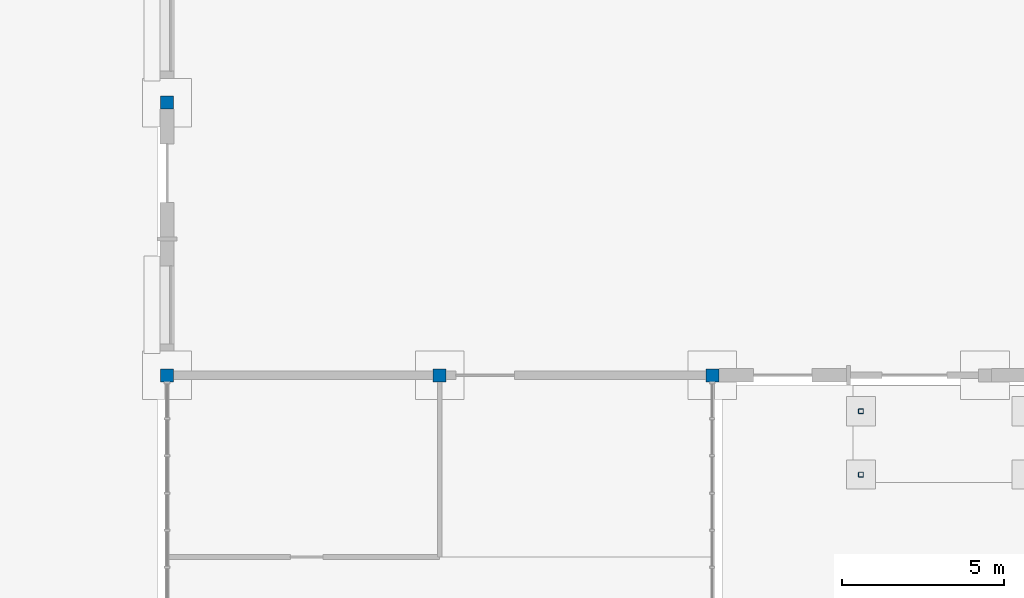
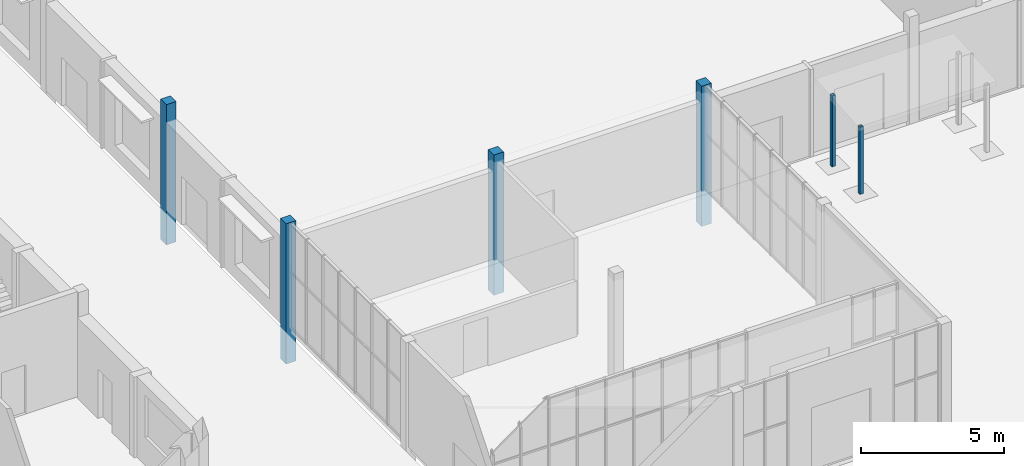
# One storey, part 7 of 36: 6 columns.
"""IFC4 building model written with IfcOpenShell, lengths in metres."""

from ifc_helpers import new_model, si_unit, direction, frame, origin, origin_2d, place, context, subcontext, project, spatial, rectangle, hollow_rectangle, extrude, material, material_profile, profile_set, type_object, element, save


model = new_model("IFC4")

# Units and contexts
model_context = context("Model", 3, precision=1e-05, world=origin(), true_north=direction((0.0, 1.0)))
body_context = subcontext(model_context, "Body", "Model", "MODEL_VIEW")
ifc_project = project(units=[si_unit("LENGTHUNIT", "METRE"), si_unit("AREAUNIT", "SQUARE_METRE"), si_unit("VOLUMEUNIT", "CUBIC_METRE"), si_unit("PLANEANGLEUNIT", "RADIAN"), si_unit("MASSUNIT", "GRAM", prefix="KILO")], contexts=[model_context])

# Site, building, storey
site_placement = place(None, origin())
site = spatial("IfcSite", under=ifc_project, at=site_placement, CompositionType="ELEMENT")
building_placement = place(site_placement, origin())
building = spatial("IfcBuilding", under=site, at=building_placement, Name="Fescue Hill Polytechnic", CompositionType="ELEMENT")
storey_placement = place(building_placement, origin())
storey = spatial("IfcBuildingStorey", under=building, at=storey_placement, Name="L00", CompositionType="ELEMENT", Elevation=0.0)

# Columns
ifc_material_1 = material(Name="Steel 350W (350 MPa)", Category="steel")
ifc_material_profile_1 = material_profile(ifc_material_1, hollow_rectangle(XDim=0.15234375, YDim=0.15234375, WallThickness=0.009521484375, InnerFilletRadius=0.009521484375, OuterFilletRadius=0.01904296875, at=origin_2d()), Name="Canopy post HSS 152x152x9.5")
ifc_profile_set_1 = profile_set([ifc_material_profile_1], Name="Steel 350W (350 MPa)")
column_type_1 = type_object("IfcColumnType", Name="Canopy post HSS 152x152x9.5", PredefinedType="COLUMN", material=ifc_profile_set_1)
column_1_placement = place(storey_placement, frame((147.3798828125, 7.2900390625, 0.0), z_axis=(0.0, 0.0, 1.0), x_axis=(1.0, 0.0, 0.0)))
element("IfcColumn", 1, at=column_1_placement, inside=storey, type_object=column_type_1, Name="Canopy post V3", PredefinedType="COLUMN", context=body_context, shape_type="SweptSolid", body=[
    extrude(hollow_rectangle(XDim=0.15234375, YDim=0.15234375, WallThickness=0.009521484375, InnerFilletRadius=0.009521484375, OuterFilletRadius=0.01904296875, at=origin_2d()), origin(), (0.0, 0.0, 1.0), 3.033447265625),
])
column_2_placement = place(storey_placement, frame((147.3798828125, 5.340087890625, 0.0), z_axis=(0.0, 0.0, 1.0), x_axis=(1.0, 0.0, 0.0)))
element("IfcColumn", 2, at=column_2_placement, inside=storey, type_object=column_type_1, Name="Canopy post V3", PredefinedType="COLUMN", context=body_context, shape_type="SweptSolid", body=[
    extrude(hollow_rectangle(XDim=0.15234375, YDim=0.15234375, WallThickness=0.009521484375, InnerFilletRadius=0.009521484375, OuterFilletRadius=0.01904296875, at=origin_2d()), origin(), (0.0, 0.0, 1.0), 2.870849609375),
])
ifc_material_2 = material(Name="Concrete 40 MPa", Category="concrete")
ifc_material_profile_2 = material_profile(ifc_material_2, rectangle(XDim=0.39990234375, YDim=0.39990234375, at=origin_2d()), Name="RC 400x400")
ifc_profile_set_2 = profile_set([ifc_material_profile_2], Name="Concrete 40 MPa")
column_type_2 = type_object("IfcColumnType", Name="Column RC 400x400", PredefinedType="COLUMN", material=ifc_profile_set_2)
for number, where, z_axis, x_axis, name in (
    (3, (126.0, 8.39990234375, -1.5), (0.0, 0.0, 1.0), (1.0, 0.0, 0.0), "COL-L00-V3-001"),
    (4, (126.0, 16.800048828125, -1.5), (0.0, 0.0, 1.0), (1.0, 0.0, 0.0), "COL-L00-V3-002"),
    (5, (134.39990234375, 8.39990234375, -1.5), (0.0, 0.0, 1.0), (1.0, 0.0, 0.0), "COL-L00-V3-007"),
    (6, (142.800048828125, 8.39990234375, -1.5), (0.0, 0.0, 1.0), (1.0, 0.0, 0.0), "COL-L00-V3-011"),
):
    element("IfcColumn", number, at=place(storey_placement, frame(where, z_axis=z_axis, x_axis=x_axis)), inside=storey, type_object=column_type_2, Name=name, PredefinedType="COLUMN", context=body_context, shape_type="SweptSolid", body=[
        extrude(rectangle(XDim=0.39990234375, YDim=0.39990234375, at=origin_2d()), origin(), (0.0, 0.0, 1.0), 6.0),
    ])

save(model, "model.ifc")
